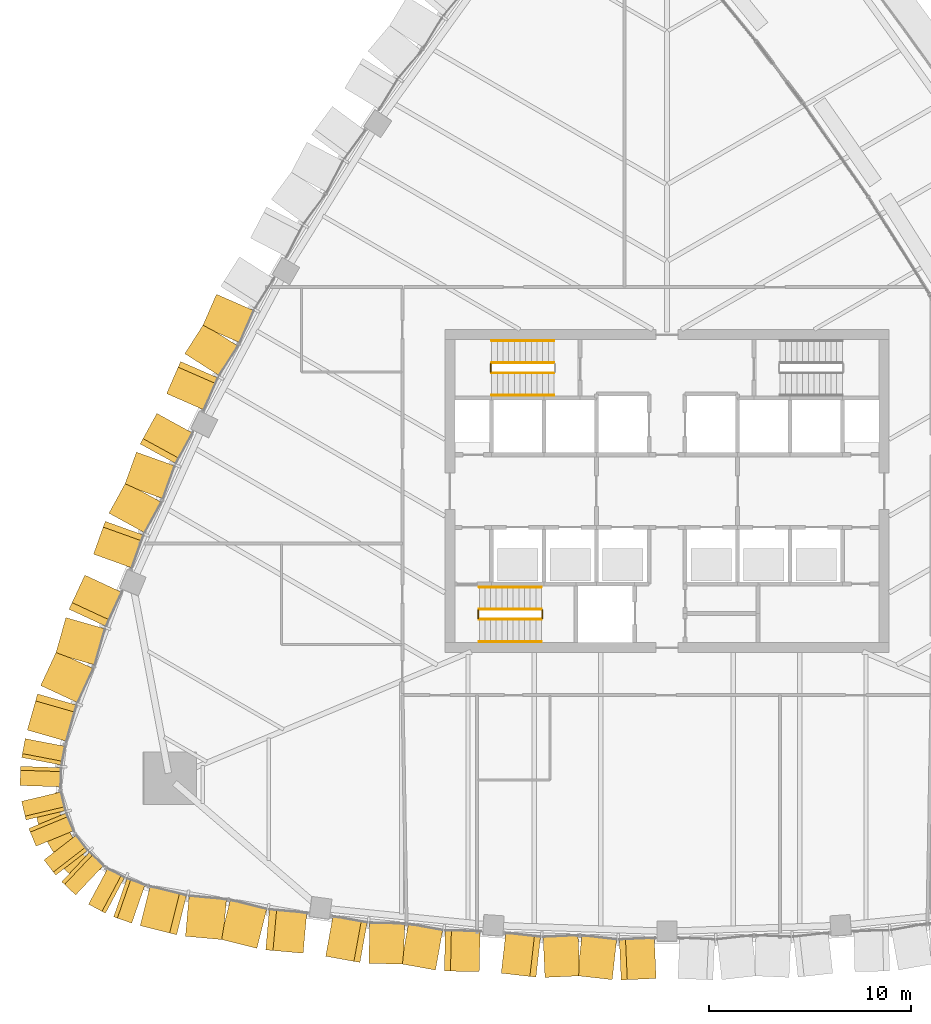
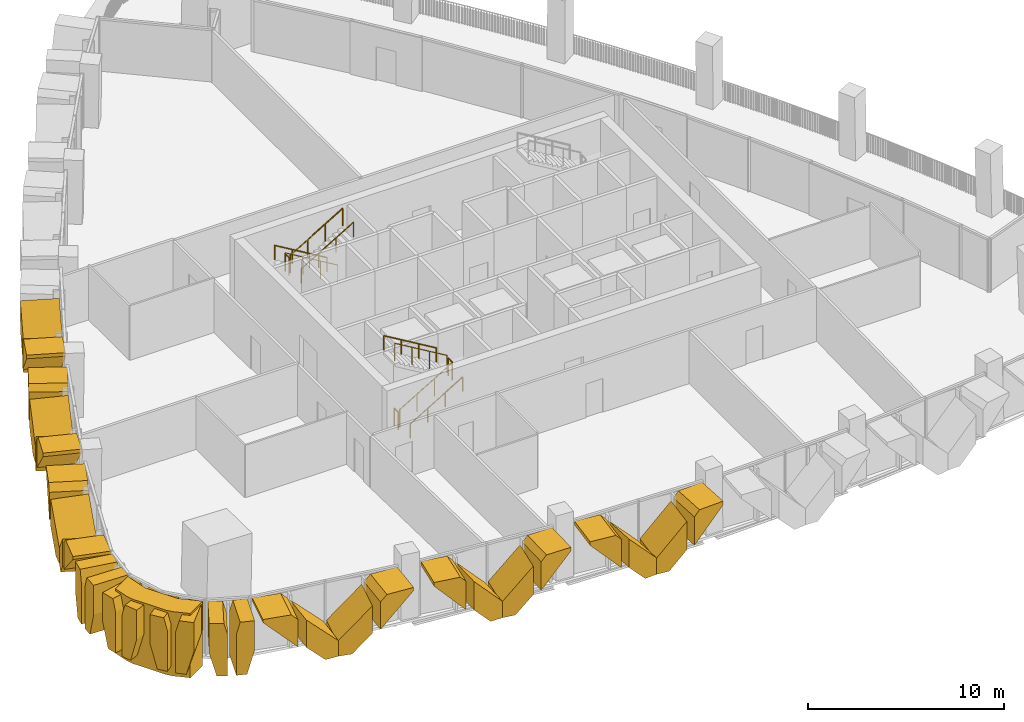
# One storey, part 18 of 22: 32 coverings, 11 railings.
"""IFC4 building model written with IfcOpenShell, lengths in metres."""

import ifcopenshell
import ifcopenshell.guid

model = None  # the IFC model being written
_history = None  # IfcOwnerHistory: only IFC2X3 demands one
_inside = {}  # id of a spatial element -> (the spatial element, [elements in it])
_under = {}  # id of a project, library or spatial element -> (it, [spatial elements below it])
_declared = {}  # id of a project -> (the project, [libraries it declares])
_typed = {}  # id of a type object -> (the type object, [elements of that type])
_made_of = {}  # id of a material, layer set ... -> (it, [elements and type objects made of it])


def new_model(schema):
    """Start an empty IFC model of exactly this schema.

    Asked for "IFC4X3", IfcOpenShell would pick the latest addendum, in which some entities
    have other attributes; the version numbers below select the first issue.
    IFC2X3 requires an IfcOwnerHistory on every rooted entity: one is made here for all.
    """
    global model, _history
    if schema == "IFC4X3":
        model = ifcopenshell.file(schema_version=(4, 3, 0, 0))
    else:
        model = ifcopenshell.file(schema=schema)
    _inside.clear()
    _under.clear()
    _declared.clear()
    _typed.clear()
    _made_of.clear()
    _history = None
    if model.schema == "IFC2X3":
        org = make("IfcOrganization", Name="unknown")
        user = make(
            "IfcPersonAndOrganization",
            ThePerson=make("IfcPerson", FamilyName="unknown"),
            TheOrganization=org,
        )
        app = make(
            "IfcApplication",
            ApplicationDeveloper=org,
            Version="unknown",
            ApplicationFullName="unknown",
            ApplicationIdentifier="unknown",
        )
        _history = make(
            "IfcOwnerHistory",
            OwningUser=user,
            OwningApplication=app,
            ChangeAction="ADDED",
            CreationDate=0,
        )
    return model


def make(cls, **values):
    """One entity of the class cls with the attributes given. An attribute that is None is left unset."""
    return model.create_entity(
        cls, **{name: value for name, value in values.items() if value is not None}
    )


def rooted(cls, **values):
    """An entity with a GlobalId (a new one), such as an element, a storey or a relation."""
    return make(cls, GlobalId=ifcopenshell.guid.new(), OwnerHistory=_history, **values)


def si_unit(unit_type, name, prefix=None):
    """IfcSIUnit, for example si_unit("LENGTHUNIT", "METRE", prefix="MILLI")."""
    return make("IfcSIUnit", UnitType=unit_type, Prefix=prefix, Name=name)


def assignment(units):
    """IfcUnitAssignment: the units of a project."""
    return None if units is None else make("IfcUnitAssignment", Units=units)


def point(xyz):
    """IfcCartesianPoint."""
    return None if xyz is None else make("IfcCartesianPoint", Coordinates=xyz)


def direction(xyz):
    """IfcDirection."""
    return None if xyz is None else make("IfcDirection", DirectionRatios=xyz)


def frame(location, z_axis=None, x_axis=None):
    """IfcAxis2Placement3D, a coordinate frame: its origin and axes. An axis left out is left unset."""
    return make(
        "IfcAxis2Placement3D",
        Location=point(location),
        Axis=direction(z_axis),
        RefDirection=direction(x_axis),
    )


def frame_2d(location, x_axis=None):
    """IfcAxis2Placement2D, a coordinate frame in the plane: its origin and x axis."""
    return make(
        "IfcAxis2Placement2D", Location=point(location), RefDirection=direction(x_axis)
    )


def origin():
    """The frame at (0, 0, 0) with its axes left unset."""
    return frame((0.0, 0.0, 0.0))


def origin_2d():
    """The frame at (0, 0) in the plane with its x axis left unset."""
    return frame_2d((0.0, 0.0))


def place(relative_to, where):
    """IfcLocalPlacement: puts the frame where relative to a parent placement (None: the world)."""
    return make(
        "IfcLocalPlacement", PlacementRelTo=relative_to, RelativePlacement=where
    )


def context(
    kind, dimensions, precision=None, world=None, true_north=None, identifier=None
):
    """IfcGeometricRepresentationContext, for example the 3D "Model" context."""
    return make(
        "IfcGeometricRepresentationContext",
        ContextIdentifier=identifier,
        ContextType=kind,
        CoordinateSpaceDimension=dimensions,
        Precision=precision,
        WorldCoordinateSystem=world,
        TrueNorth=true_north,
    )


def subcontext(parent, identifier, kind, view, scale=None):
    """IfcGeometricRepresentationSubContext, for example "Body" below "Model"."""
    return make(
        "IfcGeometricRepresentationSubContext",
        ContextIdentifier=identifier,
        ContextType=kind,
        ParentContext=parent,
        TargetScale=scale,
        TargetView=view,
    )


def project(units=None, contexts=None):
    """IfcProject with its units and contexts."""
    return rooted(
        "IfcProject",
        Name="project",
        RepresentationContexts=contexts,
        UnitsInContext=assignment(units),
    )


def spatial(cls, under=None, at=None, **own):
    """A site, building, storey or space (cls), placed at a placement, below another one or the project."""
    s = rooted(cls, ObjectPlacement=at, **own)
    if under is not None:
        _under.setdefault(under.id(), (under, []))[1].append(s)
    return s


def polyline(points):
    """IfcPolyline through the points."""
    return make("IfcPolyline", Points=[point(p) for p in points])


def profile(cls, at=None, kind="AREA", **sizes):
    """A parametric profile (cls). Its sizes go by their IFC names, for example OverallWidth=200.0."""
    return make(cls, ProfileType=kind, Position=at, **sizes)


def circle(**sizes):
    """IfcCircleProfileDef."""
    return profile("IfcCircleProfileDef", **sizes)


def outline(outer, holes=None, kind="AREA"):
    """IfcArbitraryClosedProfileDef: a profile drawn as a closed curve; with holes, ...WithVoids."""
    if holes is None:
        return make("IfcArbitraryClosedProfileDef", ProfileType=kind, OuterCurve=outer)
    return make(
        "IfcArbitraryProfileDefWithVoids",
        ProfileType=kind,
        OuterCurve=outer,
        InnerCurves=holes,
    )


def extrude(swept, where, along, depth):
    """IfcExtrudedAreaSolid: the profile swept, set in the frame where, extruded along a direction by depth."""
    return make(
        "IfcExtrudedAreaSolid",
        SweptArea=swept,
        Position=where,
        ExtrudedDirection=direction(along),
        Depth=depth,
    )


def shape(context_of_items, identifier, shape_type, items):
    """IfcShapeRepresentation: the items that make up one representation, for example the "Body"."""
    return make(
        "IfcShapeRepresentation",
        ContextOfItems=context_of_items,
        RepresentationIdentifier=identifier,
        RepresentationType=shape_type,
        Items=items,
    )


def material(Name=None, Category=None):
    """IfcMaterial."""
    return make("IfcMaterial", Name=Name, Category=Category)


def layer(
    of_material, thickness, ventilated=None, Name=None, Category=None, Priority=None
):
    """IfcMaterialLayer: one layer of a wall or slab, of a material (None: an air gap)."""
    return make(
        "IfcMaterialLayer",
        Material=of_material,
        LayerThickness=thickness,
        IsVentilated=ventilated,
        Name=Name,
        Category=Category,
        Priority=Priority,
    )


def layer_set(layers, Name=None):
    """IfcMaterialLayerSet."""
    return make("IfcMaterialLayerSet", MaterialLayers=layers, LayerSetName=Name)


def made_of(thing, what):
    """Note that an element or type object is made of a material, layer set ...; save() writes the relation."""
    if what is not None:
        _made_of.setdefault(what.id(), (what, []))[1].append(thing)
    return thing


def type_object(cls, material=None, **own):
    """A type object (cls), such as IfcWallType, which elements share."""
    return made_of(rooted(cls, **own), material)


def element(
    cls,
    number,
    at=None,
    inside=None,
    cuts=None,
    type_object=None,
    material=None,
    context=None,
    identifier="Body",
    shape_type=None,
    held_by="IfcProductDefinitionShape",
    body=None,
    shapes=None,
    **own,
):
    """One element of the class cls, such as IfcWall. Its Tag is "e" and its number.

    at: its placement. inside: the storey or other place that contains it. cuts: it is an
    opening in that element (IfcRelVoidsElement). A single representation is given by context,
    identifier, shape_type and body (its items); several are given by shapes. held_by: the class
    of the entity that holds the representations. save() writes the other relations.
    """
    e = rooted(cls, Tag="e%d" % number, ObjectPlacement=at, **own)
    if body is not None:
        shapes = [shape(context, identifier, shape_type, body)]
    if shapes is not None:
        e.Representation = make(held_by, Representations=shapes)
    if inside is not None:
        _inside.setdefault(inside.id(), (inside, []))[1].append(e)
    if cuts is not None:
        rooted(
            "IfcRelVoidsElement", RelatingBuildingElement=cuts, RelatedOpeningElement=e
        )
    if type_object is not None:
        _typed.setdefault(type_object.id(), (type_object, []))[1].append(e)
    return made_of(e, material)


def aggregate(whole, parts):
    """IfcRelAggregates: a whole, such as a stair, and the parts it consists of."""
    return rooted("IfcRelAggregates", RelatingObject=whole, RelatedObjects=parts)


def save(model, path):
    """Write the relations noted so far, then the file.

    IfcRelAggregates (storeys below a building ...), IfcRelContainedInSpatialStructure (elements
    in a storey), IfcRelDefinesByType, IfcRelAssociatesMaterial and IfcRelDeclares: one each for
    every whole, place, type object, material and project.
    """
    for whole, parts in _under.values():
        aggregate(whole, parts)
    for where, things in _inside.values():
        rooted(
            "IfcRelContainedInSpatialStructure",
            RelatedElements=things,
            RelatingStructure=where,
        )
    for kind, things in _typed.values():
        rooted("IfcRelDefinesByType", RelatedObjects=things, RelatingType=kind)
    for what, things in _made_of.values():
        rooted("IfcRelAssociatesMaterial", RelatedObjects=things, RelatingMaterial=what)
    for by, libraries in _declared.values():
        rooted("IfcRelDeclares", RelatingContext=by, RelatedDefinitions=libraries)
    model.write(path)


model = new_model("IFC4")

# Units and contexts
model_context = context("Model", 3, precision=1e-05, world=origin(), true_north=direction((0.0, 1.0)))
body_context = subcontext(model_context, "Body", "Model", "MODEL_VIEW")
ifc_project = project(units=[si_unit("LENGTHUNIT", "METRE"), si_unit("AREAUNIT", "SQUARE_METRE"), si_unit("VOLUMEUNIT", "CUBIC_METRE"), si_unit("PLANEANGLEUNIT", "RADIAN"), si_unit("MASSUNIT", "GRAM", prefix="KILO")], contexts=[model_context])

# Site, building, storey
site_placement = place(None, origin())
site = spatial("IfcSite", under=ifc_project, at=site_placement, CompositionType="ELEMENT")
building_placement = place(site_placement, origin())
building = spatial("IfcBuilding", under=site, at=building_placement, Name="Sierra Prisma Convention Tower", CompositionType="ELEMENT")
storey_placement = place(building_placement, frame((0.0, 0.0, 141.800048828125)))
storey = spatial("IfcBuildingStorey", under=building, at=storey_placement, Name="L30", CompositionType="ELEMENT", Elevation=141.800048828125)

# Coverings
ifc_material_1 = material(Name="Aluminium composite bronze anodised", Category="aluminium")
ifc_layer_1 = layer(ifc_material_1, 1.199951171875)
ifc_layer_set_1 = layer_set([ifc_layer_1], Name="Bronze corner pier")
covering_type_1 = type_object("IfcCoveringType", Name="Bronze corner pier", PredefinedType="CLADDING", material=ifc_layer_set_1)
covering_1_placement = place(storey_placement, frame((0.0, 0.0, -0.60009765625)))
element("IfcCovering", 1, at=covering_1_placement, inside=storey, type_object=covering_type_1, Name="Corner pier SW L30.1", PredefinedType="CLADDING", context=body_context, shape_type="SweptSolid", body=[
    extrude(outline(polyline([(-30.059814453125, -18.460693359375), (-31.017333984375, -16.80224609375), (-31.157470703125, -16.42333984375), (-31.322265625, -15.543701171875), (-30.220703125, -14.907470703125), (-29.97802734375, -16.202392578125), (-29.0205078125, -17.860595703125), (-28.0205078125, -18.718017578125), (-29.122314453125, -19.35400390625), (-29.8017578125, -18.771484375), (-30.059814453125, -18.460693359375)])), origin(), (0.0, 0.0, 1.0), 4.0),
])
ifc_material_2 = material(Name="Aluminium 6063-T6 bronze anodised", Category="aluminium")
ifc_layer_2 = layer(ifc_material_2, 2.0)
ifc_layer_set_2 = layer_set([ifc_layer_2], Name="Bronze crystal chevron frame")
covering_type_2 = type_object("IfcCoveringType", Name="Bronze crystal chevron frame", PredefinedType="CLADDING", material=ifc_layer_set_2)
covering_2_placement = place(storey_placement, frame((-22.31298828125, 9.747802734375, 2.8115234375), z_axis=(-0.916543829663, 0.399934251924, 4.9444639e-05), x_axis=(-4.5318179e-05, 1.9774605e-05, -0.999999998778)))
element("IfcCovering", 2, at=covering_2_placement, inside=storey, type_object=covering_type_2, Name="CW-2 chevron frame NW4.1.2", PredefinedType="CLADDING", context=body_context, shape_type="SweptSolid", body=[
    extrude(outline(polyline([(0.0, 0.0), (1.7629394509700074, 0.0), (2.811523443249632, 0.974465901882014), (2.8115234366267816, 1.7335645819312457), (1.8654785159082141, 1.7335645819312457), (0.0, 0.0)])), origin(), (0.0, 0.0, -1.0), 2.0),
])
covering_3_placement = place(storey_placement, frame((-22.947998046875, 8.2685546875, 0.0), z_axis=(-0.842665071243, 0.53843809082, -7.79278e-06), x_axis=(-0.538438090836, -0.842665071269, -2.17e-10)))
element("IfcCovering", 3, at=covering_3_placement, inside=storey, type_object=covering_type_2, Name="CW-2 chevron frame NW4.2.1", PredefinedType="CLADDING", context=body_context, shape_type="SweptSolid", body=[
    extrude(outline(polyline([(0.0, 0.0), (0.7590644166954079, -4.235164736271502e-22), (1.7334262553071167, 1.048583984782519), (1.7334262549250403, 2.8115234378539897), (-2.0503332184674807e-10, 0.9460449218462745), (0.0, 0.0)])), origin(), (0.0, 0.0, -1.0), 2.0),
])
covering_4_placement = place(storey_placement, frame((-24.783447265625, 4.827880859375, 3.280029296875), z_axis=(-0.916508020465, 0.40001630982, 1.7347606e-05), x_axis=(0.40001630988, 0.916508020603, 4.19e-10)))
element("IfcCovering", 4, at=covering_4_placement, inside=storey, type_object=covering_type_2, Name="CW-2 chevron frame NW4.2.2", PredefinedType="CLADDING", context=body_context, shape_type="SweptSolid", body=[
    extrude(outline(polyline([(0.0, 0.0), (1.4280853670832354, 0.0), (1.7333408226464913, 0.3286132820259648), (1.7333408219075668, 2.091552734885696), (-9.475752821044445e-11, 0.22607421871598268), (0.0, 0.0)])), origin(), (0.0, 0.0, -1.0), 2.0),
])
covering_5_placement = place(storey_placement, frame((-25.265380859375, 3.847900390625, 3.280029296875), z_axis=(-0.876891377487, 0.480688580765, -2.0288467e-05), x_axis=(1.7790782e-05, -9.752434e-06, -0.999999999794)))
element("IfcCovering", 5, at=covering_5_placement, inside=storey, type_object=covering_type_2, Name="CW-2 chevron frame NW5.1.1", PredefinedType="CLADDING", context=body_context, shape_type="SweptSolid", body=[
    extrude(outline(polyline([(0.0, 0.0), (0.22851562495296898, 0.0), (2.093261718453544, 1.7253405704585452), (0.32641601569218, 1.7253405704585452), (-8.213344193759104e-10, 1.4235634048275922), (0.0, 0.0)])), origin(), (0.0, 0.0, -1.0), 2.0),
])
covering_6_placement = place(storey_placement, frame((-26.27685546875, 1.9306640625, 2.813232421875), z_axis=(-0.941246050022, 0.337721590499, -2.5068888e-05), x_axis=(2.3595991e-05, -8.466305e-06, -0.999999999686)))
element("IfcCovering", 6, at=covering_6_placement, inside=storey, type_object=covering_type_2, Name="CW-2 chevron frame NW5.1.2", PredefinedType="CLADDING", context=body_context, shape_type="SweptSolid", body=[
    extrude(outline(polyline([(0.0, 0.0), (1.767089843194737, 0.0), (2.8132324233549086, 0.9682325965959906), (2.8132324216484608, 1.72564731678217), (1.8649902344464218, 1.72564731678217), (0.0, 0.0)])), origin(), (0.0, 0.0, -1.0), 2.0),
])
covering_7_placement = place(storey_placement, frame((-27.172607421875, -0.244384765625, 0.0), z_axis=(-0.876842561252, 0.480777622011, -3.0828362e-05), x_axis=(-0.32657674996, -0.595563842725, 0.733928699278)))
element("IfcCovering", 7, at=covering_7_placement, inside=storey, type_object=covering_type_2, Name="CW-2 chevron frame NW5.2.1", PredefinedType="CLADDING", context=body_context, shape_type="SweptSolid", body=[
    extrude(outline(polyline([(0.0, 0.0), (1.425400834896398, 0.0), (2.7223187854276087, 1.2002542824362825), (0.1815721390611298, 1.1998665587147739), (-0.5143700162114903, 0.5557953190100874), (0.0, 0.0)])), origin(), (0.0, 0.0, -1.0), 2.0),
])
covering_8_placement = place(storey_placement, frame((-28.40283203125, -3.121826171875, 3.280029296875), z_axis=(-0.941253604117, 0.33770053494, -3.7916283e-05), x_axis=(0.337700535183, 0.941253604794, 2.015e-09)))
element("IfcCovering", 8, at=covering_8_placement, inside=storey, type_object=covering_type_2, Name="CW-2 chevron frame NW5.2.2", PredefinedType="CLADDING", context=body_context, shape_type="SweptSolid", body=[
    extrude(outline(polyline([(0.0, 0.0), (1.4236995582245824, 3.3881317890172014e-21), (1.7256473162793724, 0.32641601933665154), (1.725647312719345, 2.0932617211916034), (-4.6043741999141283e-10, 0.22851562483573787), (0.0, 0.0)])), origin(), (0.0, 0.0, -1.0), 2.0),
])
covering_9_placement = place(storey_placement, frame((-28.8310546875, -4.1611328125, 3.280029296875), z_axis=(-0.907103591239, 0.420907441374, -2.3623352e-05), x_axis=(2.1428827e-05, -9.943244e-06, -0.999999999721)))
element("IfcCovering", 9, at=covering_9_placement, inside=storey, type_object=covering_type_2, Name="CW-2 chevron frame NW6.1.1", PredefinedType="CLADDING", context=body_context, shape_type="SweptSolid", body=[
    extrude(outline(polyline([(0.0, 0.0), (0.19165039057152353, 0.0), (2.065917968376278, 1.8619276203923492), (0.36328125010136686, 1.8619276203923492), (-1.0571310508959925e-09, 1.5010315401193908), (0.0, 0.0)])), origin(), (0.0, 0.0, -1.0), 2.0),
])
covering_10_placement = place(storey_placement, frame((-29.769287109375, -6.265869140625, 2.785888671875), z_axis=(-0.961802891226, 0.27374294184, 1.4923493e-05), x_axis=(-1.4353459e-05, 4.085201e-06, -0.999999999889)))
element("IfcCovering", 10, at=covering_10_placement, inside=storey, type_object=covering_type_2, Name="CW-2 chevron frame NW6.1.2", PredefinedType="CLADDING", context=body_context, shape_type="SweptSolid", body=[
    extrude(outline(polyline([(0.0, 0.0), (1.7026367185604026, 0.0), (2.785888672388251, 1.0762822241427383), (2.7858886718060285, 1.86214874839913), (1.8742675781575422, 1.86214874839913), (0.0, 0.0)])), origin(), (0.0, 0.0, -1.0), 2.0),
])
covering_11_placement = place(storey_placement, frame((-30.23583984375, -7.9404296875, 0.0), z_axis=(-0.907052960526, 0.421016539695, 1.0224332e-05), x_axis=(-0.421016539717, -0.907052960573, -3.48e-10)))
element("IfcCovering", 11, at=covering_11_placement, inside=storey, type_object=covering_type_2, Name="CW-2 chevron frame NW6.2.1", PredefinedType="CLADDING", context=body_context, shape_type="SweptSolid", body=[
    extrude(outline(polyline([(0.0, 0.0), (0.7856848152416731, 0.0), (1.8620303927572748, 1.0832519538292942), (1.8620303921650427, 2.7858886724903), (-3.170912657669041e-10, 0.9116210937023509), (0.0, 0.0)])), origin(), (0.0, 0.0, -1.0), 2.0),
])
covering_12_placement = place(storey_placement, frame((-31.68408203125, -11.8359375, 3.280029296875), z_axis=(-0.961756244926, 0.273906782215, -1.712435e-06), x_axis=(0.273906782215, 0.961756244927, 4e-12)))
element("IfcCovering", 12, at=covering_12_placement, inside=storey, type_object=covering_type_2, Name="CW-2 chevron frame NW6.2.2", PredefinedType="CLADDING", context=body_context, shape_type="SweptSolid", body=[
    extrude(outline(polyline([(0.0, 0.0), (1.5010067620862, 1.0587911840678754e-22), (1.8619807921345795, 0.36328125000742345), (1.8619807921282785, 2.065917968754927), (-7.092526861206598e-13, 0.19165039062471906), (0.0, 0.0)])), origin(), (0.0, 0.0, -1.0), 2.0),
])
covering_13_placement = place(storey_placement, frame((-31.78466796875, -12.2587890625, 3.280029296875), z_axis=(-0.982127783939, 0.188215344135, -1.5700061e-05), x_axis=(1.5419466e-05, -2.954992e-06, -0.999999999877)))
element("IfcCovering", 13, at=covering_13_placement, inside=storey, type_object=covering_type_2, Name="CW-2 chevron frame SW1.1.1", PredefinedType="CLADDING", context=body_context, shape_type="SweptSolid", body=[
    extrude(outline(polyline([(0.0, 0.0), (1.8164062497761353, -7.692779696743157e-22), (3.2800292971298606, 0.39325083097253477), (3.28002929672019, 0.9495853923424236), (0.7250976564100753, 0.9495853923424236), (-6.7685606106023e-10, 0.7547073444110048), (0.0, 0.0)])), origin(), (0.0, 0.0, -1.0), 2.0),
])
covering_14_placement = place(storey_placement, frame((-32.030517578125, -14.18798828125, 0.0), z_axis=(-0.999474560014, 0.032413020302, 5.19186e-07), x_axis=(-0.008405581371, -0.259206519071, 0.965785341923)))
element("IfcCovering", 14, at=covering_14_placement, inside=storey, type_object=covering_type_2, Name="CW-2 chevron frame SW1.1.2", PredefinedType="CLADDING", context=body_context, shape_type="SweptSolid", body=[
    extrude(outline(polyline([(0.0, 0.0), (1.5154744883407294, -5.551115123125783e-17), (3.2697330195676586, 0.471071831736637), (3.07404710756877, 1.19980078005611), (2.323268639227485, 1.1997744964042076), (-0.14424688890286685, 0.5371714427585212), (0.0, 0.0)])), origin(), (0.0, 0.0, -1.0), 2.0),
])
covering_15_placement = place(storey_placement, frame((-31.964111328125, -15.363037109375, 3.280029296875), z_axis=(-0.972842173098, -0.231469449796, 7.234972e-06), x_axis=(-7.038485e-06, -1.674675e-06, -0.999999999974)))
element("IfcCovering", 15, at=covering_15_placement, inside=storey, type_object=covering_type_2, Name="CW-2 chevron frame SW2.1.1", PredefinedType="CLADDING", context=body_context, shape_type="SweptSolid", body=[
    extrude(outline(polyline([(0.0, 0.0), (1.8164062499524603, 0.0), (3.2800292978204726, 0.39296325157185363), (3.2800292969498432, 0.9493614369505303), (0.7250976563917122, 0.9493614369505303), (7.886432891190761e-10, 0.7545988943339562), (0.0, 0.0)])), origin(), (0.0, 0.0, -1.0), 2.0),
])
covering_16_placement = place(storey_placement, frame((-31.396484375, -17.222900390625, 0.0), z_axis=(-0.924609156016, -0.380917193903, -9.84292e-07), x_axis=(0.098810435833, -0.239847362476, 0.965768989191)))
element("IfcCovering", 16, at=covering_16_placement, inside=storey, type_object=covering_type_2, Name="CW-2 chevron frame SW2.1.2", PredefinedType="CLADDING", context=body_context, shape_type="SweptSolid", body=[
    extrude(outline(polyline([(0.0, 0.0), (1.51550014894895, 5.551115123125783e-17), (3.2697289769723077, 0.4711824317264633), (3.0739810167837085, 1.1999589978611407), (2.323214469777719, 1.1998410082170246), (-0.14425927824169443, 0.53708238617167), (0.0, 0.0)])), origin(), (0.0, 0.0, -1.0), 2.0),
])
covering_17_placement = place(storey_placement, frame((-30.853759765625, -18.267333984375, 3.280029296875), z_axis=(-0.792036903423, -0.610473212844, -4.13111e-06), x_axis=(3.271992e-06, 2.521932e-06, -0.999999999991)))
element("IfcCovering", 17, at=covering_17_placement, inside=storey, type_object=covering_type_2, Name="CW-2 chevron frame SW3.1.1", PredefinedType="CLADDING", context=body_context, shape_type="SweptSolid", body=[
    extrude(outline(polyline([(0.0, 0.0), (1.8164062499845006, 7.692779696743157e-22), (3.280029297067818, 0.39305229982980483), (3.2800292968854516, 0.9493986986976719), (0.7250976562822526, 0.9493986986976719), (1.3637072198824019e-10, 0.7546067608010022), (0.0, 0.0)])), origin(), (0.0, 0.0, -1.0), 2.0),
])
covering_18_placement = place(storey_placement, frame((-29.572509765625, -19.730224609375, 0.0), z_axis=(-0.686876605478, -0.726774055702, -2.8389257e-05), x_axis=(0.188483453722, -0.178174071567, 0.965778436234)))
element("IfcCovering", 18, at=covering_18_placement, inside=storey, type_object=covering_type_2, Name="CW-2 chevron frame SW3.1.2", PredefinedType="CLADDING", context=body_context, shape_type="SweptSolid", body=[
    extrude(outline(polyline([(0.0, 0.0), (1.51548532451896, -5.551115123125783e-17), (3.269731312209318, 0.47111853821755584), (3.073982807704906, 1.2000031111844447), (2.3232178500539704, 1.199906519490661), (-0.14428003451317967, 0.5372377691618004), (0.0, 0.0)])), origin(), (0.0, 0.0, -1.0), 2.0),
])
covering_19_placement = place(storey_placement, frame((-28.64892578125, -20.459716796875, 3.280029296875), z_axis=(-0.471697011444, -0.881760698085, 2.6610033e-05), x_axis=(-1.2551873e-05, -2.3463681e-05, -0.999999999646)))
element("IfcCovering", 19, at=covering_19_placement, inside=storey, type_object=covering_type_2, Name="CW-2 chevron frame SW4.1.1", PredefinedType="CLADDING", context=body_context, shape_type="SweptSolid", body=[
    extrude(outline(polyline([(0.0, 0.0), (1.816406249356907, 0.0), (3.2800293009114507, 0.392995156213245), (3.2800292968296025, 0.9491621077633989), (0.7250976571091686, 0.9491621077633989), (1.5120268984809962e-09, 0.7545244497217236), (0.0, 0.0)])), origin(), (0.0, 0.0, -1.0), 2.0),
])
covering_20_placement = place(storey_placement, frame((-27.40576171875, -21.08544921875, 0.0), z_axis=(-0.3278332667, -0.944735597324, -1.9843614e-05), x_axis=(0.94473559751, -0.327833266765, -9.36e-10)))
element("IfcCovering", 20, at=covering_20_placement, inside=storey, type_object=covering_type_2, Name="CW-2 chevron frame SW4.1.2", PredefinedType="CLADDING", context=body_context, shape_type="SweptSolid", body=[
    extrude(outline(polyline([(0.0, 0.0), (0.5563738261015729, -4.235164736271502e-22), (0.9494497057526914, 1.4636230478559724), (0.9494497040519242, 3.2800292974983503), (0.19487864839725008, 3.2800292980319403), (-2.3922753139687062e-09, 2.5549316401219735), (0.0, 0.0)])), origin(), (0.0, 0.0, -1.0), 2.0),
])
covering_21_placement = place(storey_placement, frame((-26.09228515625, -21.521240234375, 3.280029296875), z_axis=(-0.243746582465, -0.969838956607, -4.223801e-05), x_axis=(1.0295371e-05, 4.0964067e-05, -0.999999999108)))
element("IfcCovering", 21, at=covering_21_placement, inside=storey, type_object=covering_type_2, Name="CW-2 chevron frame S1.1.1", PredefinedType="CLADDING", context=body_context, shape_type="SweptSolid", body=[
    extrude(outline(polyline([(0.0, 0.0), (0.1916503904540431, -3.2466839042706336e-22), (2.065917967555262, 1.8620663246162157), (0.3632812503240559, 1.8620663246162157), (-3.3795019051139014e-09, 1.5011049391717046), (0.0, 0.0)])), origin(), (0.0, 0.0, -1.0), 2.0),
])
covering_22_placement = place(storey_placement, frame((-23.84912109375, -22.049072265625, 2.785888671875), z_axis=(-0.088997571966, -0.996031842026, 4.3062094e-05), x_axis=(-3.832422e-06, -4.2891217e-05, -0.999999999073)))
element("IfcCovering", 22, at=covering_22_placement, inside=storey, type_object=covering_type_2, Name="CW-2 chevron frame S1.1.2", PredefinedType="CLADDING", context=body_context, shape_type="SweptSolid", body=[
    extrude(outline(polyline([(0.0, 0.0), (1.702636717171363, 1.4421893979862038e-21), (2.785888676148457, 1.0763066084488582), (2.785888671300724, 1.8621297027120711), (1.8742675783959535, 1.8621297027120711), (0.0, 0.0)])), origin(), (0.0, 0.0, -1.0), 2.0),
])
covering_23_placement = place(storey_placement, frame((-22.116943359375, -22.194091796875, 0.0), z_axis=(-0.243755330819, -0.969836758335, 2.9670571e-05), x_axis=(0.969836758761, -0.243755330926, -2.928e-09)))
element("IfcCovering", 23, at=covering_23_placement, inside=storey, type_object=covering_type_2, Name="CW-2 chevron frame S1.2.1", PredefinedType="CLADDING", context=body_context, shape_type="SweptSolid", body=[
    extrude(outline(polyline([(0.0, 0.0), (0.785932201081676, 8.470329472543003e-22), (1.862066321229967, 1.0832519590545002), (1.8620663162441409, 2.7858886770550484), (-2.6694974462038803e-09, 0.9116210933487306), (0.0, 0.0)])), origin(), (0.0, 0.0, -1.0), 2.0),
])
covering_24_placement = place(storey_placement, frame((-18.01904296875, -22.8876953125, 3.280029296875), z_axis=(-0.089015023815, -0.996030282695, -3.8592758e-05), x_axis=(-0.996030283437, 0.089015023882, 1.88e-09)))
element("IfcCovering", 24, at=covering_24_placement, inside=storey, type_object=covering_type_2, Name="CW-2 chevron frame S1.2.2", PredefinedType="CLADDING", context=body_context, shape_type="SweptSolid", body=[
    extrude(outline(polyline([(0.0, 0.0), (1.5010695004469508, 1.6940658945086007e-21), (1.8621297025607475, 0.3632812537705239), (1.8621296993605363, 2.0659179712525697), (-3.6021877927500666e-10, 0.1916503904822779), (0.0, 0.0)])), origin(), (0.0, 0.0, -1.0), 2.0),
])
covering_25_placement = place(storey_placement, frame((-16.90478515625, -23.03662109375, 3.280029296875), z_axis=(-0.178157307976, -0.984002018473, -3.5436356e-05), x_axis=(6.313246e-06, 3.4869446e-05, -0.999999999372)))
element("IfcCovering", 25, at=covering_25_placement, inside=storey, type_object=covering_type_2, Name="CW-2 chevron frame S2.1.1", PredefinedType="CLADDING", context=body_context, shape_type="SweptSolid", body=[
    extrude(outline(polyline([(0.0, 0.0), (0.22851562485652244, -1.9356026333740848e-22), (2.0932617178456008, 1.7253540262794067), (0.32641601582994606, 1.7253540262794067), (-2.5056456684339513e-09, 1.4234191959539904), (0.0, 0.0)])), origin(), (0.0, 0.0, -1.0), 2.0),
])
covering_26_placement = place(storey_placement, frame((-14.765869140625, -23.388671875, 2.813232421875), z_axis=(-0.022096196196, -0.999755848467, -3.9628929e-05), x_axis=(8.75649e-07, 3.9619253e-05, -0.999999999215)))
element("IfcCovering", 26, at=covering_26_placement, inside=storey, type_object=covering_type_2, Name="CW-2 chevron frame S2.1.2", PredefinedType="CLADDING", context=body_context, shape_type="SweptSolid", body=[
    extrude(outline(polyline([(0.0, 0.0), (1.767089842362435, 1.8709791480183795e-22), (2.813232425573192, 0.968006483277375), (2.8132324213088937, 1.7255180267142305), (1.864990234553478, 1.7255180267142305), (0.0, 0.0)])), origin(), (0.0, 0.0, -1.0), 2.0),
])
covering_27_placement = place(storey_placement, frame((-12.4189453125, -23.549072265625, 0.0), z_axis=(-0.178117474934, -0.984009228625, -5.5705518e-05), x_axis=(0.668260226247, -0.121004671123, 0.734020530764)))
element("IfcCovering", 27, at=covering_27_placement, inside=storey, type_object=covering_type_2, Name="CW-2 chevron frame S2.2.1", PredefinedType="CLADDING", context=body_context, shape_type="SweptSolid", body=[
    extrude(outline(polyline([(0.0, 0.0), (1.425222514501038, -1.1102230246251565e-16), (2.7223027395182173, 1.2000789124320148), (0.1816266338614997, 1.199958451565326), (-0.5144025999001366, 0.5559813175661624), (0.0, 0.0)])), origin(), (0.0, 0.0, -1.0), 2.0),
])
covering_28_placement = place(storey_placement, frame((-9.30029296875, -23.80419921875, 3.280029296875), z_axis=(-0.022057660092, -0.999756697272, -7.6752855e-05), x_axis=(-0.999756700217, 0.022057660156, 8.257e-09)))
element("IfcCovering", 28, at=covering_28_placement, inside=storey, type_object=covering_type_2, Name="CW-2 chevron frame S2.2.2", PredefinedType="CLADDING", context=body_context, shape_type="SweptSolid", body=[
    extrude(outline(polyline([(0.0, 0.0), (1.4236828473545118, 0.0), (1.7255180243353205, 0.3264160308332437), (1.7255180097473122, 2.093261728753999), (-1.886745297941526e-09, 0.22851562432690714), (0.0, 0.0)])), origin(), (0.0, 0.0, -1.0), 2.0),
])
covering_29_placement = place(storey_placement, frame((-8.210693359375, -23.876953125, 3.280029296875), z_axis=(-0.111962646867, -0.993712415983, -5.249322e-06), x_axis=(5.87728e-07, 5.216317e-06, -0.999999999986)))
element("IfcCovering", 29, at=covering_29_placement, inside=storey, type_object=covering_type_2, Name="CW-2 chevron frame S3.1.1", PredefinedType="CLADDING", context=body_context, shape_type="SweptSolid", body=[
    extrude(outline(polyline([(0.0, 0.0), (0.22607421874688524, 0.0), (2.0915527343552385, 1.7335559354330776), (0.32861328125452755, 1.7335559354330776), (-5.480804032986029e-11, 1.4281703632539728), (0.0, 0.0)])), origin(), (0.0, 0.0, -1.0), 2.0),
])
covering_30_placement = place(storey_placement, frame((-6.044921875, -24.085693359375, 2.8115234375), z_axis=(0.044942972063, -0.998989553844, 2.394253e-05), x_axis=(1.076048e-06, -2.3918337e-05, -0.999999999713)))
element("IfcCovering", 30, at=covering_30_placement, inside=storey, type_object=covering_type_2, Name="CW-2 chevron frame S3.1.2", PredefinedType="CLADDING", context=body_context, shape_type="SweptSolid", body=[
    extrude(outline(polyline([(0.0, 0.0), (1.762939452619702, 0.0), (2.8115234388481607, 0.9743691758589241), (2.8115234372952496, 1.7334398719572166), (1.8654785156914073, 1.7334398719572166), (0.0, 0.0)])), origin(), (0.0, 0.0, -1.0), 2.0),
])
covering_31_placement = place(storey_placement, frame((-4.437255859375, -24.003662109375, 0.0), z_axis=(-0.111835817419, -0.993726697567, 2.2009276e-05), x_axis=(0.993726697808, -0.111835817446, -1.729e-09)))
element("IfcCovering", 31, at=covering_31_placement, inside=storey, type_object=covering_type_2, Name="CW-2 chevron frame S3.2.1", PredefinedType="CLADDING", context=body_context, shape_type="SweptSolid", body=[
    extrude(outline(polyline([(0.0, 0.0), (0.7591636622796889, 0.0), (1.7335286160548105, 1.0485839876254668), (1.7335286130074767, 2.8115234403234757), (-1.6352884378633974e-09, 0.9460449216458641), (0.0, 0.0)])), origin(), (0.0, 0.0, -1.0), 2.0),
])
covering_32_placement = place(storey_placement, frame((-0.53955078125, -24.134521484375, 3.280029296875), z_axis=(0.044926464016, -0.998990296409, -2.2608598e-05), x_axis=(-0.998990296665, -0.044926464027, 7.12e-10)))
element("IfcCovering", 32, at=covering_32_placement, inside=storey, type_object=covering_type_2, Name="CW-2 chevron frame S3.2.2", PredefinedType="CLADDING", context=body_context, shape_type="SweptSolid", body=[
    extrude(outline(polyline([(0.0, 0.0), (1.428201893004648, 2.117582368135751e-22), (1.7336837660168798, 0.32861328256812766), (1.7336837647619112, 2.0915527352425656), (-1.60933503490252e-10, 0.22607421869222125), (0.0, 0.0)])), origin(), (0.0, 0.0, -1.0), 2.0),
])

# Railings
ifc_material_3 = material(Name="Stainless steel", Category="steel")
railing_type_1 = type_object("IfcRailingType", Name="Exit stair handrail", PredefinedType="HANDRAIL", material=ifc_material_3)
railing_1_placement = place(storey_placement, frame((-9.300048828125, -7.449951171875, 0.16650390625)))
element("IfcRailing", 33, at=railing_1_placement, inside=storey, type_object=railing_type_1, Name="L30 S1 stair handrail 1", PredefinedType="HANDRAIL", context=body_context, shape_type="SweptSolid", body=[
    extrude(circle(Radius=0.02392578125, at=origin_2d()), frame((0.0, 0.0, 0.8759765625), z_axis=(0.85927862911, 0.0, 0.511507807912), x_axis=(0.0, 1.0, 0.0)), (0.0, 0.0, 1.0), 3.58447265625),
    extrude(circle(Radius=0.02099609375, at=origin_2d()), origin(), (0.0, 0.0, 1.0), 0.851806640625),
    extrude(circle(Radius=0.02099609375, at=origin_2d()), frame((1.026611328125, 0.0, 0.611083984375)), (0.0, 0.0, 1.0), 0.851806640625),
    extrude(circle(Radius=0.02099609375, at=origin_2d()), frame((2.053466796875, 0.0, 1.222412109375)), (0.0, 0.0, 1.0), 0.851806640625),
    extrude(circle(Radius=0.02099609375, at=origin_2d()), frame((3.080078125, 0.0, 1.83349609375)), (0.0, 0.0, 1.0), 0.851806640625),
])
railing_2_placement = place(storey_placement, frame((-6.219970703125, -4.75, 2.16650390625)))
element("IfcRailing", 34, at=railing_2_placement, inside=storey, type_object=railing_type_1, Name="L30 S1 stair handrail 2", PredefinedType="HANDRAIL", context=body_context, shape_type="SweptSolid", body=[
    extrude(circle(Radius=0.02392578125, at=origin_2d()), frame((0.0, 0.0, 0.8759765625), z_axis=(-0.85927862911, 0.0, 0.511507807912), x_axis=(0.0, -1.0, 0.0)), (0.0, 0.0, 1.0), 3.58447265625),
    extrude(circle(Radius=0.02099609375, at=origin_2d()), origin(), (0.0, 0.0, 1.0), 0.851806640625),
    extrude(circle(Radius=0.02099609375, at=origin_2d()), frame((-1.026611328125, 0.0, 0.611083984375)), (0.0, 0.0, 1.0), 0.851806640625),
    extrude(circle(Radius=0.02099609375, at=origin_2d()), frame((-2.053466796875, 0.0, 1.222412109375)), (0.0, 0.0, 1.0), 0.851806640625),
    extrude(circle(Radius=0.02099609375, at=origin_2d()), frame((-3.080078125, 0.0, 1.83349609375)), (0.0, 0.0, 1.0), 0.851806640625),
])
railing_3_placement = place(storey_placement, frame((-5.60009765625, 7.449951171875, 0.16650390625)))
element("IfcRailing", 35, at=railing_3_placement, inside=storey, type_object=railing_type_1, Name="L30 S3 stair handrail 1", PredefinedType="HANDRAIL", context=body_context, shape_type="SweptSolid", body=[
    extrude(circle(Radius=0.02392578125, at=origin_2d()), frame((0.0, 0.0, 0.8759765625), z_axis=(-0.859260807169, 0.0, 0.511537745687), x_axis=(0.0, -1.0, 0.0)), (0.0, 0.0, 1.0), 3.584228515625),
    extrude(circle(Radius=0.02099609375, at=origin_2d()), origin(), (0.0, 0.0, 1.0), 0.851806640625),
    extrude(circle(Radius=0.02099609375, at=origin_2d()), frame((-1.026611328125, 0.0, 0.611083984375)), (0.0, 0.0, 1.0), 0.851806640625),
    extrude(circle(Radius=0.02099609375, at=origin_2d()), frame((-2.05322265625, 0.0, 1.222412109375)), (0.0, 0.0, 1.0), 0.851806640625),
    extrude(circle(Radius=0.02099609375, at=origin_2d()), frame((-3.079833984375, 0.0, 1.83349609375)), (0.0, 0.0, 1.0), 0.851806640625),
])
railing_4_placement = place(storey_placement, frame((-8.679931640625, 4.75, 2.16650390625)))
element("IfcRailing", 36, at=railing_4_placement, inside=storey, type_object=railing_type_1, Name="L30 S3 stair handrail 2", PredefinedType="HANDRAIL", context=body_context, shape_type="SweptSolid", body=[
    extrude(circle(Radius=0.02392578125, at=origin_2d()), frame((0.0, 0.0, 0.8759765625), z_axis=(0.859260807169, 0.0, 0.511537745687), x_axis=(0.0, 1.0, 0.0)), (0.0, 0.0, 1.0), 3.584228515625),
    extrude(circle(Radius=0.02099609375, at=origin_2d()), origin(), (0.0, 0.0, 1.0), 0.851806640625),
    extrude(circle(Radius=0.02099609375, at=origin_2d()), frame((1.026611328125, 0.0, 0.611083984375)), (0.0, 0.0, 1.0), 0.851806640625),
    extrude(circle(Radius=0.02099609375, at=origin_2d()), frame((2.05322265625, 0.0, 1.222412109375)), (0.0, 0.0, 1.0), 0.851806640625),
    extrude(circle(Radius=0.02099609375, at=origin_2d()), frame((3.079833984375, 0.0, 1.83349609375)), (0.0, 0.0, 1.0), 0.851806640625),
])
ifc_material_4 = material(Name="Stainless steel", Category="steel")
railing_type_2 = type_object("IfcRailingType", Name="Stair guard 1100", PredefinedType="GUARDRAIL", material=ifc_material_4)
railing_5_placement = place(storey_placement, frame((-9.300048828125, -6.35009765625, 0.16650390625)))
element("IfcRailing", 37, at=railing_5_placement, inside=storey, type_object=railing_type_2, Name="L30 S1 stair guard 1", PredefinedType="GUARDRAIL", context=body_context, shape_type="SweptSolid", body=[
    extrude(circle(Radius=0.02392578125, at=origin_2d()), frame((0.0, 0.0, 1.076171875), z_axis=(0.85927862911, 0.0, 0.511507807912), x_axis=(0.0, 1.0, 0.0)), (0.0, 0.0, 1.0), 3.58447265625),
    extrude(circle(Radius=0.02099609375, at=origin_2d()), origin(), (0.0, 0.0, 1.0), 1.052001953125),
    extrude(circle(Radius=0.02099609375, at=origin_2d()), frame((1.026611328125, 0.0, 0.611083984375)), (0.0, 0.0, 1.0), 1.052001953125),
    extrude(circle(Radius=0.02099609375, at=origin_2d()), frame((2.053466796875, 0.0, 1.222412109375)), (0.0, 0.0, 1.0), 1.052001953125),
    extrude(circle(Radius=0.02099609375, at=origin_2d()), frame((3.080078125, 0.0, 1.83349609375)), (0.0, 0.0, 1.0), 1.052001953125),
])
railing_6_placement = place(storey_placement, frame((-6.169921875, -6.300048828125, 2.0)))
element("IfcRailing", 38, at=railing_6_placement, inside=storey, type_object=railing_type_2, Name="L30 S1 stair guard 2", PredefinedType="GUARDRAIL", context=body_context, shape_type="SweptSolid", body=[
    extrude(circle(Radius=0.02392578125, at=origin_2d()), frame((0.0, 0.0, 1.076171875), z_axis=(0.0, 1.0, 0.0), x_axis=(-1.0, 0.0, 0.0)), (0.0, 0.0, 1.0), 0.400146484375),
    extrude(circle(Radius=0.02099609375, at=origin_2d()), origin(), (0.0, 0.0, 1.0), 1.052001953125),
    extrude(circle(Radius=0.02099609375, at=origin_2d()), frame((0.0, 0.400146484375, 0.0)), (0.0, 0.0, 1.0), 1.052001953125),
])
railing_7_placement = place(storey_placement, frame((-6.219970703125, -5.85009765625, 2.16650390625)))
element("IfcRailing", 39, at=railing_7_placement, inside=storey, type_object=railing_type_2, Name="L30 S1 stair guard 3", PredefinedType="GUARDRAIL", context=body_context, shape_type="SweptSolid", body=[
    extrude(circle(Radius=0.02392578125, at=origin_2d()), frame((0.0, 0.0, 1.076171875), z_axis=(-0.85927862911, 0.0, 0.511507807912), x_axis=(0.0, -1.0, 0.0)), (0.0, 0.0, 1.0), 3.58447265625),
    extrude(circle(Radius=0.02099609375, at=origin_2d()), origin(), (0.0, 0.0, 1.0), 1.052001953125),
    extrude(circle(Radius=0.02099609375, at=origin_2d()), frame((-1.026611328125, 0.0, 0.611083984375)), (0.0, 0.0, 1.0), 1.052001953125),
    extrude(circle(Radius=0.02099609375, at=origin_2d()), frame((-2.053466796875, 0.0, 1.222412109375)), (0.0, 0.0, 1.0), 1.052001953125),
    extrude(circle(Radius=0.02099609375, at=origin_2d()), frame((-3.080078125, 0.0, 1.83349609375)), (0.0, 0.0, 1.0), 1.052001953125),
])
railing_8_placement = place(storey_placement, frame((-9.35009765625, -6.300048828125, 0.0)))
element("IfcRailing", 40, at=railing_8_placement, inside=storey, type_object=railing_type_2, Name="L30 S1 stair guard 4", PredefinedType="GUARDRAIL", context=body_context, shape_type="SweptSolid", body=[
    extrude(circle(Radius=0.02392578125, at=origin_2d()), frame((0.0, 0.0, 1.076171875), z_axis=(0.0, 1.0, 0.0), x_axis=(-1.0, 0.0, 0.0)), (0.0, 0.0, 1.0), 0.400146484375),
    extrude(circle(Radius=0.02099609375, at=origin_2d()), origin(), (0.0, 0.0, 1.0), 1.052001953125),
    extrude(circle(Radius=0.02099609375, at=origin_2d()), frame((0.0, 0.400146484375, 0.0)), (0.0, 0.0, 1.0), 1.052001953125),
])
railing_9_placement = place(storey_placement, frame((-5.60009765625, 6.35009765625, 0.16650390625)))
element("IfcRailing", 41, at=railing_9_placement, inside=storey, type_object=railing_type_2, Name="L30 S3 stair guard 1", PredefinedType="GUARDRAIL", context=body_context, shape_type="SweptSolid", body=[
    extrude(circle(Radius=0.02392578125, at=origin_2d()), frame((0.0, 0.0, 1.076171875), z_axis=(-0.859260807169, 0.0, 0.511537745687), x_axis=(0.0, -1.0, 0.0)), (0.0, 0.0, 1.0), 3.584228515625),
    extrude(circle(Radius=0.02099609375, at=origin_2d()), origin(), (0.0, 0.0, 1.0), 1.052001953125),
    extrude(circle(Radius=0.02099609375, at=origin_2d()), frame((-1.026611328125, 0.0, 0.611083984375)), (0.0, 0.0, 1.0), 1.052001953125),
    extrude(circle(Radius=0.02099609375, at=origin_2d()), frame((-2.05322265625, 0.0, 1.222412109375)), (0.0, 0.0, 1.0), 1.052001953125),
    extrude(circle(Radius=0.02099609375, at=origin_2d()), frame((-3.079833984375, 0.0, 1.83349609375)), (0.0, 0.0, 1.0), 1.052001953125),
])
railing_10_placement = place(storey_placement, frame((-8.72998046875, 6.300048828125, 2.0)))
element("IfcRailing", 42, at=railing_10_placement, inside=storey, type_object=railing_type_2, Name="L30 S3 stair guard 2", PredefinedType="GUARDRAIL", context=body_context, shape_type="SweptSolid", body=[
    extrude(circle(Radius=0.02392578125, at=origin_2d()), frame((0.0, 0.0, 1.076171875), z_axis=(0.0, -1.0, 0.0), x_axis=(1.0, 0.0, 0.0)), (0.0, 0.0, 1.0), 0.400146484375),
    extrude(circle(Radius=0.02099609375, at=origin_2d()), origin(), (0.0, 0.0, 1.0), 1.052001953125),
    extrude(circle(Radius=0.02099609375, at=origin_2d()), frame((0.0, -0.400146484375, 0.0)), (0.0, 0.0, 1.0), 1.052001953125),
])
railing_11_placement = place(storey_placement, frame((-8.679931640625, 5.85009765625, 2.16650390625)))
element("IfcRailing", 43, at=railing_11_placement, inside=storey, type_object=railing_type_2, Name="L30 S3 stair guard 3", PredefinedType="GUARDRAIL", context=body_context, shape_type="SweptSolid", body=[
    extrude(circle(Radius=0.02392578125, at=origin_2d()), frame((0.0, 0.0, 1.076171875), z_axis=(0.859260807169, 0.0, 0.511537745687), x_axis=(0.0, 1.0, 0.0)), (0.0, 0.0, 1.0), 3.584228515625),
    extrude(circle(Radius=0.02099609375, at=origin_2d()), origin(), (0.0, 0.0, 1.0), 1.052001953125),
    extrude(circle(Radius=0.02099609375, at=origin_2d()), frame((1.026611328125, 0.0, 0.611083984375)), (0.0, 0.0, 1.0), 1.052001953125),
    extrude(circle(Radius=0.02099609375, at=origin_2d()), frame((2.05322265625, 0.0, 1.222412109375)), (0.0, 0.0, 1.0), 1.052001953125),
    extrude(circle(Radius=0.02099609375, at=origin_2d()), frame((3.079833984375, 0.0, 1.83349609375)), (0.0, 0.0, 1.0), 1.052001953125),
])

save(model, "model.ifc")
